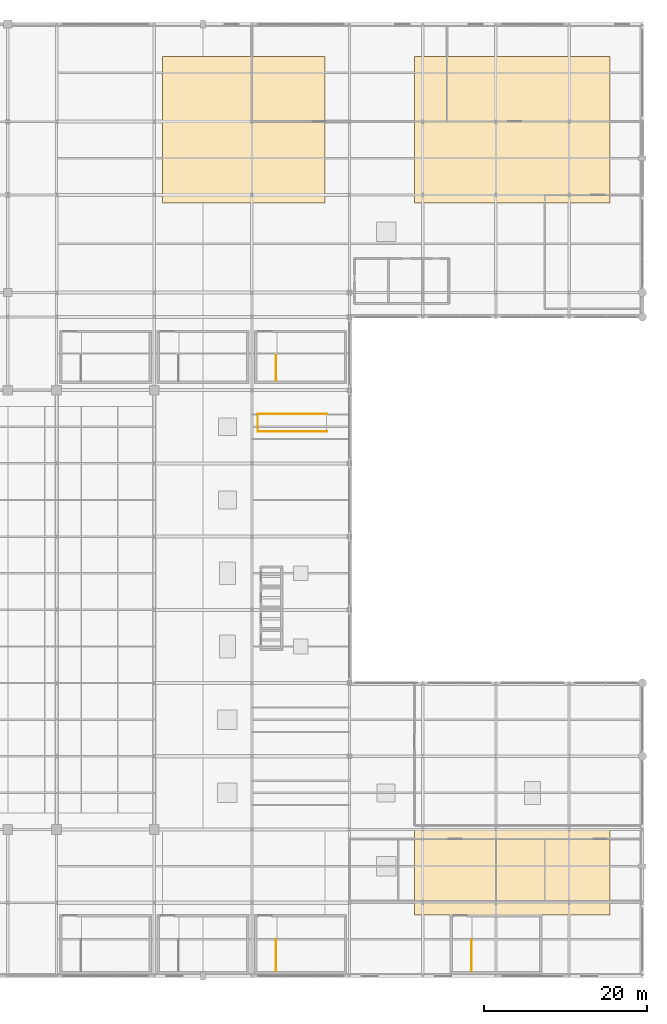
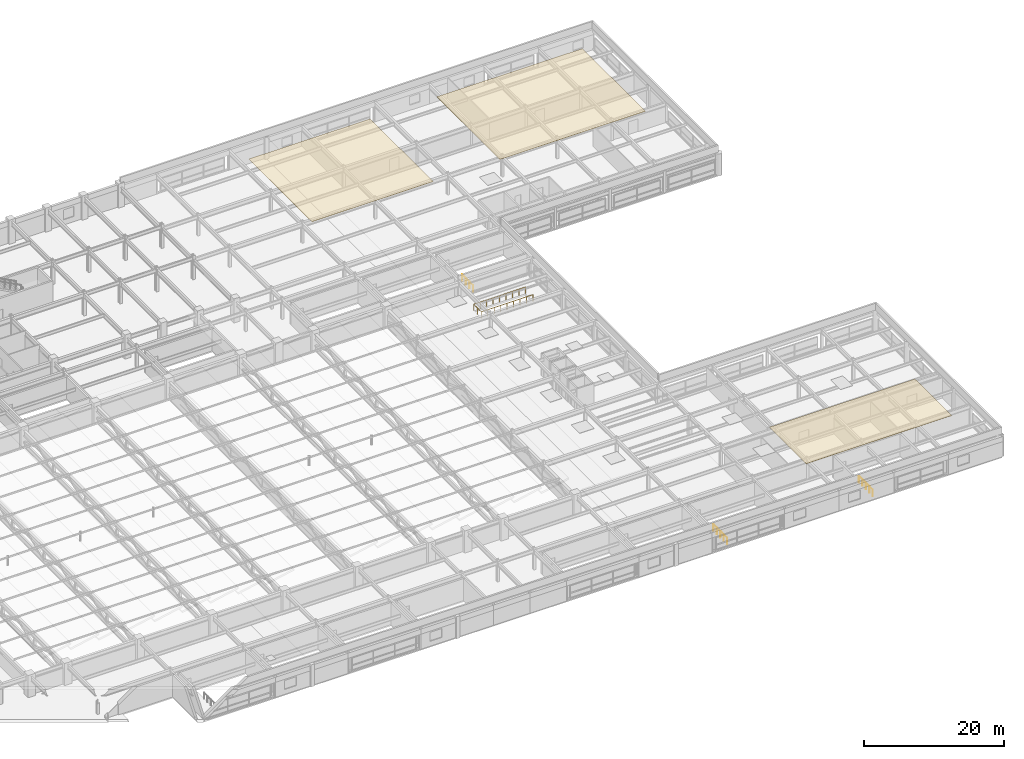
# One storey, part 108 of 108: 4 railings, 3 coverings.
"""IFC4 building model written with IfcOpenShell, lengths in metres."""

import ifcopenshell
import ifcopenshell.guid

model = None  # the IFC model being written
_history = None  # IfcOwnerHistory: only IFC2X3 demands one
_inside = {}  # id of a spatial element -> (the spatial element, [elements in it])
_under = {}  # id of a project, library or spatial element -> (it, [spatial elements below it])
_declared = {}  # id of a project -> (the project, [libraries it declares])
_typed = {}  # id of a type object -> (the type object, [elements of that type])
_made_of = {}  # id of a material, layer set ... -> (it, [elements and type objects made of it])


def new_model(schema):
    """Start an empty IFC model of exactly this schema.

    Asked for "IFC4X3", IfcOpenShell would pick the latest addendum, in which some entities
    have other attributes; the version numbers below select the first issue.
    IFC2X3 requires an IfcOwnerHistory on every rooted entity: one is made here for all.
    """
    global model, _history
    if schema == "IFC4X3":
        model = ifcopenshell.file(schema_version=(4, 3, 0, 0))
    else:
        model = ifcopenshell.file(schema=schema)
    _inside.clear()
    _under.clear()
    _declared.clear()
    _typed.clear()
    _made_of.clear()
    _history = None
    if model.schema == "IFC2X3":
        org = make("IfcOrganization", Name="unknown")
        user = make(
            "IfcPersonAndOrganization",
            ThePerson=make("IfcPerson", FamilyName="unknown"),
            TheOrganization=org,
        )
        app = make(
            "IfcApplication",
            ApplicationDeveloper=org,
            Version="unknown",
            ApplicationFullName="unknown",
            ApplicationIdentifier="unknown",
        )
        _history = make(
            "IfcOwnerHistory",
            OwningUser=user,
            OwningApplication=app,
            ChangeAction="ADDED",
            CreationDate=0,
        )
    return model


def make(cls, **values):
    """One entity of the class cls with the attributes given. An attribute that is None is left unset."""
    return model.create_entity(
        cls, **{name: value for name, value in values.items() if value is not None}
    )


def rooted(cls, **values):
    """An entity with a GlobalId (a new one), such as an element, a storey or a relation."""
    return make(cls, GlobalId=ifcopenshell.guid.new(), OwnerHistory=_history, **values)


def si_unit(unit_type, name, prefix=None):
    """IfcSIUnit, for example si_unit("LENGTHUNIT", "METRE", prefix="MILLI")."""
    return make("IfcSIUnit", UnitType=unit_type, Prefix=prefix, Name=name)


def assignment(units):
    """IfcUnitAssignment: the units of a project."""
    return None if units is None else make("IfcUnitAssignment", Units=units)


def point(xyz):
    """IfcCartesianPoint."""
    return None if xyz is None else make("IfcCartesianPoint", Coordinates=xyz)


def direction(xyz):
    """IfcDirection."""
    return None if xyz is None else make("IfcDirection", DirectionRatios=xyz)


def frame(location, z_axis=None, x_axis=None):
    """IfcAxis2Placement3D, a coordinate frame: its origin and axes. An axis left out is left unset."""
    return make(
        "IfcAxis2Placement3D",
        Location=point(location),
        Axis=direction(z_axis),
        RefDirection=direction(x_axis),
    )


def frame_2d(location, x_axis=None):
    """IfcAxis2Placement2D, a coordinate frame in the plane: its origin and x axis."""
    return make(
        "IfcAxis2Placement2D", Location=point(location), RefDirection=direction(x_axis)
    )


def origin():
    """The frame at (0, 0, 0) with its axes left unset."""
    return frame((0.0, 0.0, 0.0))


def origin_2d():
    """The frame at (0, 0) in the plane with its x axis left unset."""
    return frame_2d((0.0, 0.0))


def place(relative_to, where):
    """IfcLocalPlacement: puts the frame where relative to a parent placement (None: the world)."""
    return make(
        "IfcLocalPlacement", PlacementRelTo=relative_to, RelativePlacement=where
    )


def context(
    kind, dimensions, precision=None, world=None, true_north=None, identifier=None
):
    """IfcGeometricRepresentationContext, for example the 3D "Model" context."""
    return make(
        "IfcGeometricRepresentationContext",
        ContextIdentifier=identifier,
        ContextType=kind,
        CoordinateSpaceDimension=dimensions,
        Precision=precision,
        WorldCoordinateSystem=world,
        TrueNorth=true_north,
    )


def subcontext(parent, identifier, kind, view, scale=None):
    """IfcGeometricRepresentationSubContext, for example "Body" below "Model"."""
    return make(
        "IfcGeometricRepresentationSubContext",
        ContextIdentifier=identifier,
        ContextType=kind,
        ParentContext=parent,
        TargetScale=scale,
        TargetView=view,
    )


def project(units=None, contexts=None):
    """IfcProject with its units and contexts."""
    return rooted(
        "IfcProject",
        Name="project",
        RepresentationContexts=contexts,
        UnitsInContext=assignment(units),
    )


def spatial(cls, under=None, at=None, **own):
    """A site, building, storey or space (cls), placed at a placement, below another one or the project."""
    s = rooted(cls, ObjectPlacement=at, **own)
    if under is not None:
        _under.setdefault(under.id(), (under, []))[1].append(s)
    return s


def polyline(points):
    """IfcPolyline through the points."""
    return make("IfcPolyline", Points=[point(p) for p in points])


def profile(cls, at=None, kind="AREA", **sizes):
    """A parametric profile (cls). Its sizes go by their IFC names, for example OverallWidth=200.0."""
    return make(cls, ProfileType=kind, Position=at, **sizes)


def circle(**sizes):
    """IfcCircleProfileDef."""
    return profile("IfcCircleProfileDef", **sizes)


def outline(outer, holes=None, kind="AREA"):
    """IfcArbitraryClosedProfileDef: a profile drawn as a closed curve; with holes, ...WithVoids."""
    if holes is None:
        return make("IfcArbitraryClosedProfileDef", ProfileType=kind, OuterCurve=outer)
    return make(
        "IfcArbitraryProfileDefWithVoids",
        ProfileType=kind,
        OuterCurve=outer,
        InnerCurves=holes,
    )


def extrude(swept, where, along, depth):
    """IfcExtrudedAreaSolid: the profile swept, set in the frame where, extruded along a direction by depth."""
    return make(
        "IfcExtrudedAreaSolid",
        SweptArea=swept,
        Position=where,
        ExtrudedDirection=direction(along),
        Depth=depth,
    )


def shape(context_of_items, identifier, shape_type, items):
    """IfcShapeRepresentation: the items that make up one representation, for example the "Body"."""
    return make(
        "IfcShapeRepresentation",
        ContextOfItems=context_of_items,
        RepresentationIdentifier=identifier,
        RepresentationType=shape_type,
        Items=items,
    )


def material(Name=None, Category=None):
    """IfcMaterial."""
    return make("IfcMaterial", Name=Name, Category=Category)


def layer(
    of_material, thickness, ventilated=None, Name=None, Category=None, Priority=None
):
    """IfcMaterialLayer: one layer of a wall or slab, of a material (None: an air gap)."""
    return make(
        "IfcMaterialLayer",
        Material=of_material,
        LayerThickness=thickness,
        IsVentilated=ventilated,
        Name=Name,
        Category=Category,
        Priority=Priority,
    )


def layer_set(layers, Name=None):
    """IfcMaterialLayerSet."""
    return make("IfcMaterialLayerSet", MaterialLayers=layers, LayerSetName=Name)


def made_of(thing, what):
    """Note that an element or type object is made of a material, layer set ...; save() writes the relation."""
    if what is not None:
        _made_of.setdefault(what.id(), (what, []))[1].append(thing)
    return thing


def type_object(cls, material=None, **own):
    """A type object (cls), such as IfcWallType, which elements share."""
    return made_of(rooted(cls, **own), material)


def element(
    cls,
    number,
    at=None,
    inside=None,
    cuts=None,
    type_object=None,
    material=None,
    context=None,
    identifier="Body",
    shape_type=None,
    held_by="IfcProductDefinitionShape",
    body=None,
    shapes=None,
    **own,
):
    """One element of the class cls, such as IfcWall. Its Tag is "e" and its number.

    at: its placement. inside: the storey or other place that contains it. cuts: it is an
    opening in that element (IfcRelVoidsElement). A single representation is given by context,
    identifier, shape_type and body (its items); several are given by shapes. held_by: the class
    of the entity that holds the representations. save() writes the other relations.
    """
    e = rooted(cls, Tag="e%d" % number, ObjectPlacement=at, **own)
    if body is not None:
        shapes = [shape(context, identifier, shape_type, body)]
    if shapes is not None:
        e.Representation = make(held_by, Representations=shapes)
    if inside is not None:
        _inside.setdefault(inside.id(), (inside, []))[1].append(e)
    if cuts is not None:
        rooted(
            "IfcRelVoidsElement", RelatingBuildingElement=cuts, RelatedOpeningElement=e
        )
    if type_object is not None:
        _typed.setdefault(type_object.id(), (type_object, []))[1].append(e)
    return made_of(e, material)


def aggregate(whole, parts):
    """IfcRelAggregates: a whole, such as a stair, and the parts it consists of."""
    return rooted("IfcRelAggregates", RelatingObject=whole, RelatedObjects=parts)


def save(model, path):
    """Write the relations noted so far, then the file.

    IfcRelAggregates (storeys below a building ...), IfcRelContainedInSpatialStructure (elements
    in a storey), IfcRelDefinesByType, IfcRelAssociatesMaterial and IfcRelDeclares: one each for
    every whole, place, type object, material and project.
    """
    for whole, parts in _under.values():
        aggregate(whole, parts)
    for where, things in _inside.values():
        rooted(
            "IfcRelContainedInSpatialStructure",
            RelatedElements=things,
            RelatingStructure=where,
        )
    for kind, things in _typed.values():
        rooted("IfcRelDefinesByType", RelatedObjects=things, RelatingType=kind)
    for what, things in _made_of.values():
        rooted("IfcRelAssociatesMaterial", RelatedObjects=things, RelatingMaterial=what)
    for by, libraries in _declared.values():
        rooted("IfcRelDeclares", RelatingContext=by, RelatedDefinitions=libraries)
    model.write(path)


model = new_model("IFC4")

# Units and contexts
model_context = context("Model", 3, precision=1e-05, world=origin(), true_north=direction((0.0, 1.0)))
body_context = subcontext(model_context, "Body", "Model", "MODEL_VIEW")
ifc_project = project(units=[si_unit("LENGTHUNIT", "METRE"), si_unit("AREAUNIT", "SQUARE_METRE"), si_unit("VOLUMEUNIT", "CUBIC_METRE"), si_unit("PLANEANGLEUNIT", "RADIAN"), si_unit("MASSUNIT", "GRAM", prefix="KILO")], contexts=[model_context])

# Site, building, storey
site_placement = place(None, origin())
site = spatial("IfcSite", under=ifc_project, at=site_placement, CompositionType="ELEMENT")
building_placement = place(site_placement, origin())
building = spatial("IfcBuilding", under=site, at=building_placement, Name="Kaldorvane Square Convention Centre", CompositionType="ELEMENT")
storey_placement = place(building_placement, frame((0.0, 0.0, 23.399993896484375)))
storey = spatial("IfcBuildingStorey", under=building, at=storey_placement, Name="L04", CompositionType="ELEMENT", Elevation=23.399993896484375)

# Coverings
ifc_material_1 = material(Name="SBS Modified Bitumen Cool Roof Membrane")
ifc_layer = layer(ifc_material_1, 0.0449981689453125)
ifc_layer_set = layer_set([ifc_layer], Name="SBS Modified Bitumen Cool Roof Membrane")
covering_type = type_object("IfcCoveringType", Name="CV-ROOF-045", PredefinedType="ROOFING", material=ifc_layer_set)
covering_1_placement = place(storey_placement, frame((0.0, 0.0, 3.850006103515625)))
element("IfcCovering", 1, at=covering_1_placement, inside=storey, type_object=covering_type, Name="Cool Roof Waterproofing Membrane 03", PredefinedType="ROOFING", context=body_context, shape_type="SweptSolid", body=[
    extrude(outline(polyline([(115.0, 95.0), (135.0, 95.0), (135.0, 113.0), (115.0, 113.0), (115.0, 95.0)])), origin(), (0.0, 0.0, 1.0), 0.0449981689453125),
])
covering_2_placement = place(storey_placement, frame((0.0, 0.0, 3.850006103515625)))
element("IfcCovering", 2, at=covering_2_placement, inside=storey, type_object=covering_type, Name="Cool Roof Waterproofing Membrane 04", PredefinedType="ROOFING", context=body_context, shape_type="SweptSolid", body=[
    extrude(outline(polyline([(146.0, 7.5), (170.0, 7.5), (170.0, 18.0), (146.0, 18.0), (146.0, 7.5)])), origin(), (0.0, 0.0, 1.0), 0.0449981689453125),
])
covering_3_placement = place(storey_placement, frame((0.0, 0.0, 3.850006103515625)))
element("IfcCovering", 3, at=covering_3_placement, inside=storey, type_object=covering_type, Name="Cool Roof Waterproofing Membrane 05", PredefinedType="ROOFING", context=body_context, shape_type="SweptSolid", body=[
    extrude(outline(polyline([(146.0, 95.0), (170.0, 95.0), (170.0, 113.0), (146.0, 113.0), (146.0, 95.0)])), origin(), (0.0, 0.0, 1.0), 0.0449981689453125),
])

# Railings
ifc_material_2 = material(Name="Architectural Painted Steel", Category="steel")
railing_type = type_object("IfcRailingType", Name="RL-GUARD-1120", PredefinedType="BALUSTRADE", material=ifc_material_2)
for number, where, name in (
    (4, (128.99000549316406, 0.589996337890625, 0.0), "Convention Exit Stair C10 Floor Well Guard (L04)"),
    (5, (152.99000549316406, 0.589996337890625, 0.0), "Convention Exit Stair C11 Floor Well Guard (L04)"),
):
    element("IfcRailing", number, at=place(storey_placement, frame(where)), inside=storey, type_object=railing_type, Name=name, PredefinedType="BALUSTRADE", context=body_context, shape_type="SweptSolid", body=[
        extrude(circle(Radius=0.0240020751953125, at=origin_2d()), frame((0.0, 0.0, 1.0959930419921875), z_axis=(0.0, 1.0, 0.0), x_axis=(-1.0, 0.0, 0.0)), (0.0, 0.0, 1.0), 3.910003662109375),
        extrude(circle(Radius=0.02099609375, at=origin_2d()), origin(), (0.0, 0.0, 1.0), 1.071990966796875),
        extrude(circle(Radius=0.02099609375, at=origin_2d()), frame((0.0, 0.977508544921875, 0.0)), (0.0, 0.0, 1.0), 1.071990966796875),
        extrude(circle(Radius=0.02099609375, at=origin_2d()), frame((0.0, 1.9550018310546875, 0.0)), (0.0, 0.0, 1.0), 1.071990966796875),
        extrude(circle(Radius=0.02099609375, at=origin_2d()), frame((0.0, 2.9324951171875, 0.0)), (0.0, 0.0, 1.0), 1.071990966796875),
        extrude(circle(Radius=0.02099609375, at=origin_2d()), frame((0.0, 3.910003662109375, 0.0)), (0.0, 0.0, 1.0), 1.071990966796875),
    ])
railing_1_placement = place(storey_placement, frame((128.99000549316406, 73.13999938964844, 0.0)))
element("IfcRailing", 6, at=railing_1_placement, inside=storey, type_object=railing_type, Name="Convention Exit Stair C18 Floor Well Guard (L04)", PredefinedType="BALUSTRADE", context=body_context, shape_type="SweptSolid", body=[
    extrude(circle(Radius=0.0240020751953125, at=origin_2d()), frame((0.0, 0.0, 1.0959930419921875), z_axis=(0.0, 1.0, 0.0), x_axis=(-1.0, 0.0, 0.0)), (0.0, 0.0, 1.0), 3.160003662109375),
    extrude(circle(Radius=0.02099609375, at=origin_2d()), origin(), (0.0, 0.0, 1.0), 1.071990966796875),
    extrude(circle(Radius=0.02099609375, at=origin_2d()), frame((0.0, 1.0533294677734375, 0.0)), (0.0, 0.0, 1.0), 1.071990966796875),
    extrude(circle(Radius=0.02099609375, at=origin_2d()), frame((0.0, 2.1066741943359375, 0.0)), (0.0, 0.0, 1.0), 1.071990966796875),
    extrude(circle(Radius=0.02099609375, at=origin_2d()), frame((0.0, 3.160003662109375, 0.0)), (0.0, 0.0, 1.0), 1.071990966796875),
])
railing_2_placement = place(storey_placement, frame((135.25, 66.91999816894531, 0.0)))
element("IfcRailing", 7, at=railing_2_placement, inside=storey, type_object=railing_type, Name="East Foyer Grand Stair F4 Upper Well Guard (L04)", PredefinedType="BALUSTRADE", context=body_context, shape_type="SweptSolid", body=[
    extrude(circle(Radius=0.0240020751953125, at=origin_2d()), frame((0.0, 0.0, 1.0959930419921875), z_axis=(-1.0, 0.0, 0.0), x_axis=(0.0, -1.0, 0.0)), (0.0, 0.0, 1.0), 8.529998779296875),
    extrude(circle(Radius=0.0240020751953125, at=origin_2d()), frame((-8.529998779296875, 0.0, 1.0959930419921875), z_axis=(0.0, 1.0, 0.0), x_axis=(-1.0, 0.0, 0.0)), (0.0, 0.0, 1.0), 2.160003662109375),
    extrude(circle(Radius=0.0240020751953125, at=origin_2d()), frame((-8.529998779296875, 2.160003662109375, 1.0959930419921875), z_axis=(1.0, 0.0, 0.0), x_axis=(0.0, 1.0, 0.0)), (0.0, 0.0, 1.0), 8.529998779296875),
    extrude(circle(Radius=0.02099609375, at=origin_2d()), origin(), (0.0, 0.0, 1.0), 1.071990966796875),
    extrude(circle(Radius=0.02099609375, at=origin_2d()), frame((-1.066253662109375, 0.0, 0.0)), (0.0, 0.0, 1.0), 1.071990966796875),
    extrude(circle(Radius=0.02099609375, at=origin_2d()), frame((-2.13250732421875, 0.0, 0.0)), (0.0, 0.0, 1.0), 1.071990966796875),
    extrude(circle(Radius=0.02099609375, at=origin_2d()), frame((-3.1987457275390625, 0.0, 0.0)), (0.0, 0.0, 1.0), 1.071990966796875),
    extrude(circle(Radius=0.02099609375, at=origin_2d()), frame((-4.2649993896484375, 0.0, 0.0)), (0.0, 0.0, 1.0), 1.071990966796875),
    extrude(circle(Radius=0.02099609375, at=origin_2d()), frame((-5.3312530517578125, 0.0, 0.0)), (0.0, 0.0, 1.0), 1.071990966796875),
    extrude(circle(Radius=0.02099609375, at=origin_2d()), frame((-6.397491455078125, 0.0, 0.0)), (0.0, 0.0, 1.0), 1.071990966796875),
    extrude(circle(Radius=0.02099609375, at=origin_2d()), frame((-7.4637451171875, 0.0, 0.0)), (0.0, 0.0, 1.0), 1.071990966796875),
    extrude(circle(Radius=0.02099609375, at=origin_2d()), frame((-8.529998779296875, 0.0, 0.0)), (0.0, 0.0, 1.0), 1.071990966796875),
    extrude(circle(Radius=0.02099609375, at=origin_2d()), frame((-8.529998779296875, 1.0800018310546875, 0.0)), (0.0, 0.0, 1.0), 1.071990966796875),
    extrude(circle(Radius=0.02099609375, at=origin_2d()), frame((-8.529998779296875, 2.160003662109375, 0.0)), (0.0, 0.0, 1.0), 1.071990966796875),
    extrude(circle(Radius=0.02099609375, at=origin_2d()), frame((-7.4637451171875, 2.160003662109375, 0.0)), (0.0, 0.0, 1.0), 1.071990966796875),
    extrude(circle(Radius=0.02099609375, at=origin_2d()), frame((-6.397491455078125, 2.160003662109375, 0.0)), (0.0, 0.0, 1.0), 1.071990966796875),
    extrude(circle(Radius=0.02099609375, at=origin_2d()), frame((-5.3312530517578125, 2.160003662109375, 0.0)), (0.0, 0.0, 1.0), 1.071990966796875),
    extrude(circle(Radius=0.02099609375, at=origin_2d()), frame((-4.2649993896484375, 2.160003662109375, 0.0)), (0.0, 0.0, 1.0), 1.071990966796875),
    extrude(circle(Radius=0.02099609375, at=origin_2d()), frame((-3.1987457275390625, 2.160003662109375, 0.0)), (0.0, 0.0, 1.0), 1.071990966796875),
    extrude(circle(Radius=0.02099609375, at=origin_2d()), frame((-2.13250732421875, 2.160003662109375, 0.0)), (0.0, 0.0, 1.0), 1.071990966796875),
    extrude(circle(Radius=0.02099609375, at=origin_2d()), frame((-1.066253662109375, 2.160003662109375, 0.0)), (0.0, 0.0, 1.0), 1.071990966796875),
    extrude(circle(Radius=0.02099609375, at=origin_2d()), frame((0.0, 2.160003662109375, 0.0)), (0.0, 0.0, 1.0), 1.071990966796875),
])

save(model, "model.ifc")
